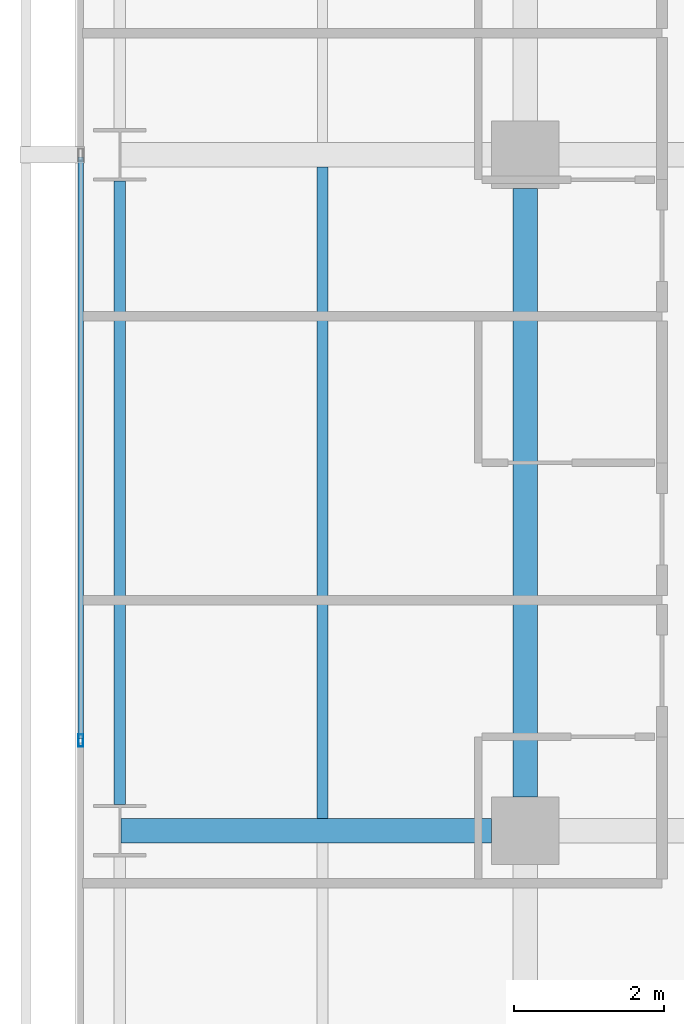
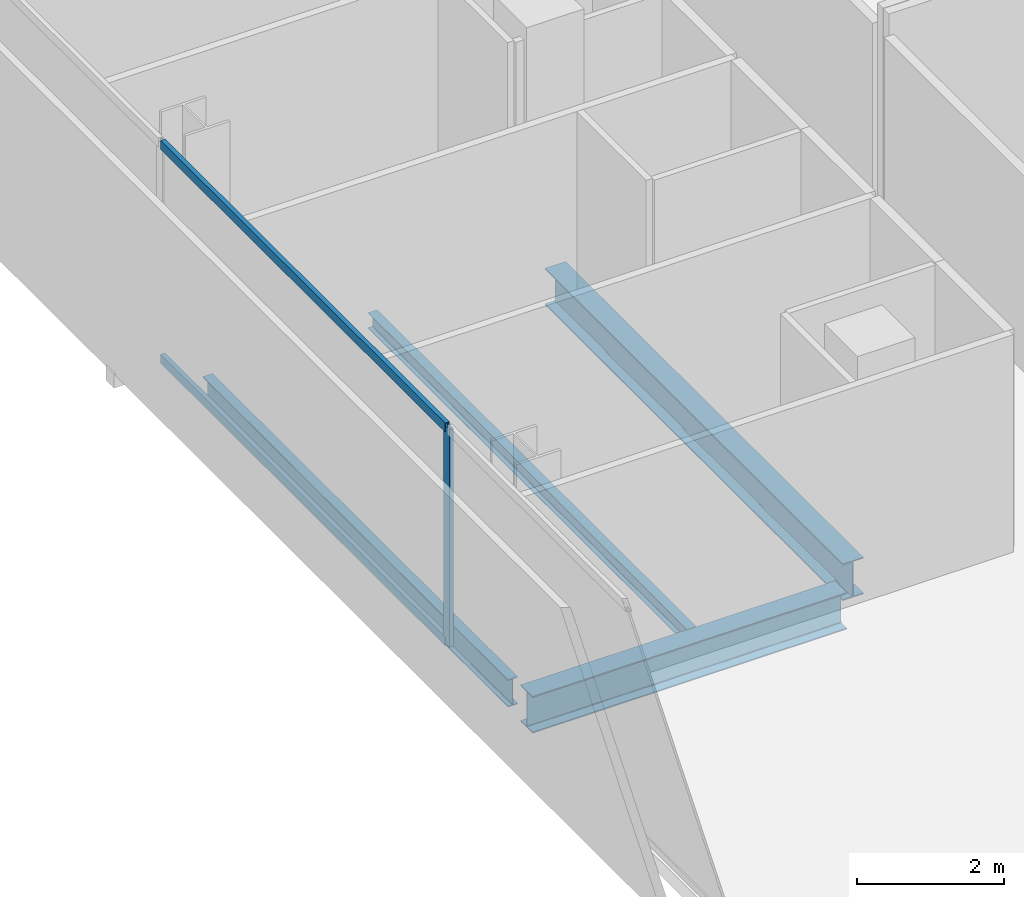
# One storey, part 10 of 40: 4 beams, 3 members, 1 element without a shape of its own.
"""IFC4 building model written with IfcOpenShell, lengths in metres."""

from ifc_helpers import new_model, si_unit, direction, frame, origin, origin_2d, place, context, subcontext, project, spatial, hollow_rectangle, i_section, extrude, material, layer, layer_set, material_profile, profile_set, type_object, element, aggregate, save


model = new_model("IFC4")

# Units and contexts
model_context = context("Model", 3, precision=1e-05, world=origin(), true_north=direction((0.0, 1.0)))
body_context = subcontext(model_context, "Body", "Model", "MODEL_VIEW")
ifc_project = project(units=[si_unit("LENGTHUNIT", "METRE"), si_unit("AREAUNIT", "SQUARE_METRE"), si_unit("VOLUMEUNIT", "CUBIC_METRE"), si_unit("PLANEANGLEUNIT", "RADIAN"), si_unit("MASSUNIT", "GRAM", prefix="KILO")], contexts=[model_context])

# Site, building, storey
site_placement = place(None, origin())
site = spatial("IfcSite", under=ifc_project, at=site_placement, CompositionType="ELEMENT")
building_placement = place(site_placement, origin())
building = spatial("IfcBuilding", under=site, at=building_placement, Name="Maruvema Waterfront Hotel and Observation Tower", CompositionType="ELEMENT")
storey_placement = place(building_placement, frame((0.0, 0.0, 103.949951171875)))
storey = spatial("IfcBuildingStorey", under=building, at=storey_placement, Name="L25", CompositionType="ELEMENT", Elevation=103.949951171875)

# Curtain wall, members
ifc_material_1 = material(Name="Anodised bronze aluminium and solar-control low-E IGU", Category="aluminium")
ifc_layer = layer(ifc_material_1, 0.159912109375, Name="Zone 1 Bronze Inner Thermal Curtain Wall System CW-02")
ifc_layer_set = layer_set([ifc_layer], Name="Anodised bronze aluminium and solar-control low-E IGU")
curtain_wall_type = type_object("IfcCurtainWallType", Name="Zone 1 Bronze Inner Thermal Curtain Wall System CW-02", PredefinedType="USERDEFINED", material=ifc_layer_set)
curtain_wall_placement = place(storey_placement, origin())
curtain_wall = element("IfcCurtainWall", 1, at=curtain_wall_placement, inside=storey, type_object=curtain_wall_type, Name="L25 Curtain Wall CW-L25-W", ObjectType="UNITISED CURTAIN WALL", PredefinedType="USERDEFINED")
ifc_material_2 = material(Name="Anodised architectural bronze aluminium", Category="aluminium")
ifc_material_profile_1 = material_profile(ifc_material_2, hollow_rectangle(XDim=0.070068359375, YDim=0.14990234375, WallThickness=0.00390625, at=origin_2d()), Name="ALU-T70x150")
ifc_profile_set_1 = profile_set([ifc_material_profile_1], Name="Anodised architectural bronze aluminium")
member_type_1 = type_object("IfcMemberType", Name="Curtain Wall Horizontal Transom ALU-T70x150", PredefinedType="USERDEFINED", material=ifc_profile_set_1)
member_1_placement = place(storey_placement, frame((10.8798828125, 26.969970703125, 0.030029296875), z_axis=(0.0, -1.0, 0.0), x_axis=(1.0, 0.0, 0.0)))
member_1 = element("IfcMember", 2, at=member_1_placement, type_object=member_type_1, Name="CW-02 transom 4.1", ObjectType="TRANSOM", PredefinedType="USERDEFINED", context=body_context, shape_type="SweptSolid", body=[
    extrude(hollow_rectangle(XDim=0.070068359375, YDim=0.14990234375, WallThickness=0.00390625, at=origin_2d()), origin(), (0.0, 0.0, 1.0), 7.739990234375),
])
member_2_placement = place(storey_placement, frame((10.8798828125, 26.969970703125, 3.580078125), z_axis=(0.0, -1.0, 0.0), x_axis=(1.0, 0.0, 0.0)))
member_2 = element("IfcMember", 3, at=member_2_placement, type_object=member_type_1, Name="CW-02 transom 4.2", ObjectType="TRANSOM", PredefinedType="USERDEFINED", context=body_context, shape_type="SweptSolid", body=[
    extrude(hollow_rectangle(XDim=0.070068359375, YDim=0.14990234375, WallThickness=0.00390625, at=origin_2d()), origin(), (0.0, 0.0, 1.0), 7.739990234375),
])
ifc_material_3 = material(Name="Anodised architectural bronze aluminium", Category="aluminium")
ifc_material_profile_2 = material_profile(ifc_material_3, hollow_rectangle(XDim=0.06494140625, YDim=0.1650390625, WallThickness=0.00390625, at=origin_2d()), Name="ALU-M65x165")
ifc_profile_set_2 = profile_set([ifc_material_profile_2], Name="Anodised architectural bronze aluminium")
member_type_2 = type_object("IfcMemberType", Name="Curtain Wall Primary Mullion ALU-M65x165", PredefinedType="MULLION", material=ifc_profile_set_2)
member_3_placement = place(storey_placement, frame((10.8798828125, 19.199951171875, 0.0), z_axis=(0.0, 0.0, 1.0), x_axis=(1.0, 0.0, 0.0)))
member_3 = element("IfcMember", 4, at=member_3_placement, type_object=member_type_2, Name="CW-02 mullion 5", PredefinedType="MULLION", context=body_context, shape_type="SweptSolid", body=[
    extrude(hollow_rectangle(XDim=0.06494140625, YDim=0.1650390625, WallThickness=0.00390625, at=origin_2d()), origin(), (0.0, 0.0, 1.0), 3.610107421875),
])
aggregate(curtain_wall, [member_3, member_1, member_2])

# Beams
ifc_material_4 = material(Name="Steel ASTM A572 Grade 50", Category="steel")
ifc_material_profile_3 = material_profile(ifc_material_4, i_section(OverallWidth=0.153076171875, OverallDepth=0.455078125, WebThickness=0.008056640625, FlangeThickness=0.01318359375, FilletRadius=0.014892578125, at=origin_2d()), Name="W460x60.0")
ifc_profile_set_3 = profile_set([ifc_material_profile_3], Name="Steel ASTM A572 Grade 50")
beam_type_1 = type_object("IfcBeamType", Name="Perimeter Spandrel Beam W460x60.0", PredefinedType="SPANDREL", material=ifc_profile_set_3)
beam_1_placement = place(storey_placement, frame((11.39990234375, 18.35009765625, -0.467529296875), z_axis=(0.0, 1.0, 0.0), x_axis=(-1.0, 0.0, 0.0)))
element("IfcBeam", 5, at=beam_1_placement, inside=storey, type_object=beam_type_1, Name="L25 Floor Girder NS-02", PredefinedType="SPANDREL", context=body_context, shape_type="SweptSolid", body=[
    extrude(i_section(OverallWidth=0.153076171875, OverallDepth=0.455078125, WebThickness=0.008056640625, FlangeThickness=0.01318359375, FilletRadius=0.014892578125, at=origin_2d()), origin(), (0.0, 0.0, 1.0), 8.2998046875),
])
ifc_material_5 = material(Name="Steel ASTM A572 Grade 50", Category="steel")
ifc_material_profile_4 = material_profile(ifc_material_5, i_section(OverallWidth=0.323974609375, OverallDepth=0.611083984375, WebThickness=0.0126953125, FlangeThickness=0.01904296875, FilletRadius=0.01806640625, at=origin_2d()), Name="W610x155.0")
ifc_profile_set_4 = profile_set([ifc_material_profile_4], Name="Steel ASTM A572 Grade 50")
beam_type_2 = type_object("IfcBeamType", Name="Primary Floor Girder W610x155.0", PredefinedType="BEAM", material=ifc_profile_set_4)
beam_2_placement = place(storey_placement, frame((11.4140625, 18.0, -0.54541015625), z_axis=(1.0, 0.0, 0.0), x_axis=(0.0, 1.0, 0.0)))
element("IfcBeam", 6, at=beam_2_placement, inside=storey, type_object=beam_type_2, Name="L25 Floor Girder EW-13", PredefinedType="BEAM", context=body_context, shape_type="SweptSolid", body=[
    extrude(i_section(OverallWidth=0.323974609375, OverallDepth=0.611083984375, WebThickness=0.0126953125, FlangeThickness=0.01904296875, FilletRadius=0.01806640625, at=origin_2d()), origin(), (0.0, 0.0, 1.0), 4.93603515625),
])
beam_3_placement = place(storey_placement, frame((16.800048828125, 18.449951171875, -0.54541015625), z_axis=(0.0, 1.0, 0.0), x_axis=(-1.0, 0.0, 0.0)))
element("IfcBeam", 7, at=beam_3_placement, inside=storey, type_object=beam_type_2, Name="L25 Floor Girder NS-07", PredefinedType="BEAM", context=body_context, shape_type="SweptSolid", body=[
    extrude(i_section(OverallWidth=0.323974609375, OverallDepth=0.611083984375, WebThickness=0.0126953125, FlangeThickness=0.01904296875, FilletRadius=0.01806640625, at=origin_2d()), origin(), (0.0, 0.0, 1.0), 8.10009765625),
])
ifc_material_6 = material(Name="Steel ASTM A572 Grade 50", Category="steel")
ifc_material_profile_5 = material_profile(ifc_material_6, i_section(OverallWidth=0.14599609375, OverallDepth=0.258056640625, WebThickness=0.006103515625, FlangeThickness=0.009033203125, FilletRadius=0.012939453125, at=origin_2d()), Name="W250x32.7")
ifc_profile_set_5 = profile_set([ifc_material_profile_5], Name="Steel ASTM A572 Grade 50")
beam_type_3 = type_object("IfcBeamType", Name="Secondary Floor Joist W250x32.7", PredefinedType="JOIST", material=ifc_profile_set_5)
beam_4_placement = place(storey_placement, frame((14.10009765625, 18.162109375, -0.368896484375), z_axis=(0.0, 1.0, 0.0), x_axis=(-1.0, 0.0, 0.0)))
element("IfcBeam", 8, at=beam_4_placement, inside=storey, type_object=beam_type_3, Name="L25 Secondary Floor Joist JS-02", PredefinedType="JOIST", context=body_context, shape_type="SweptSolid", body=[
    extrude(i_section(OverallWidth=0.14599609375, OverallDepth=0.258056640625, WebThickness=0.006103515625, FlangeThickness=0.009033203125, FilletRadius=0.012939453125, at=origin_2d()), origin(), (0.0, 0.0, 1.0), 8.67578125),
])

save(model, "model.ifc")
